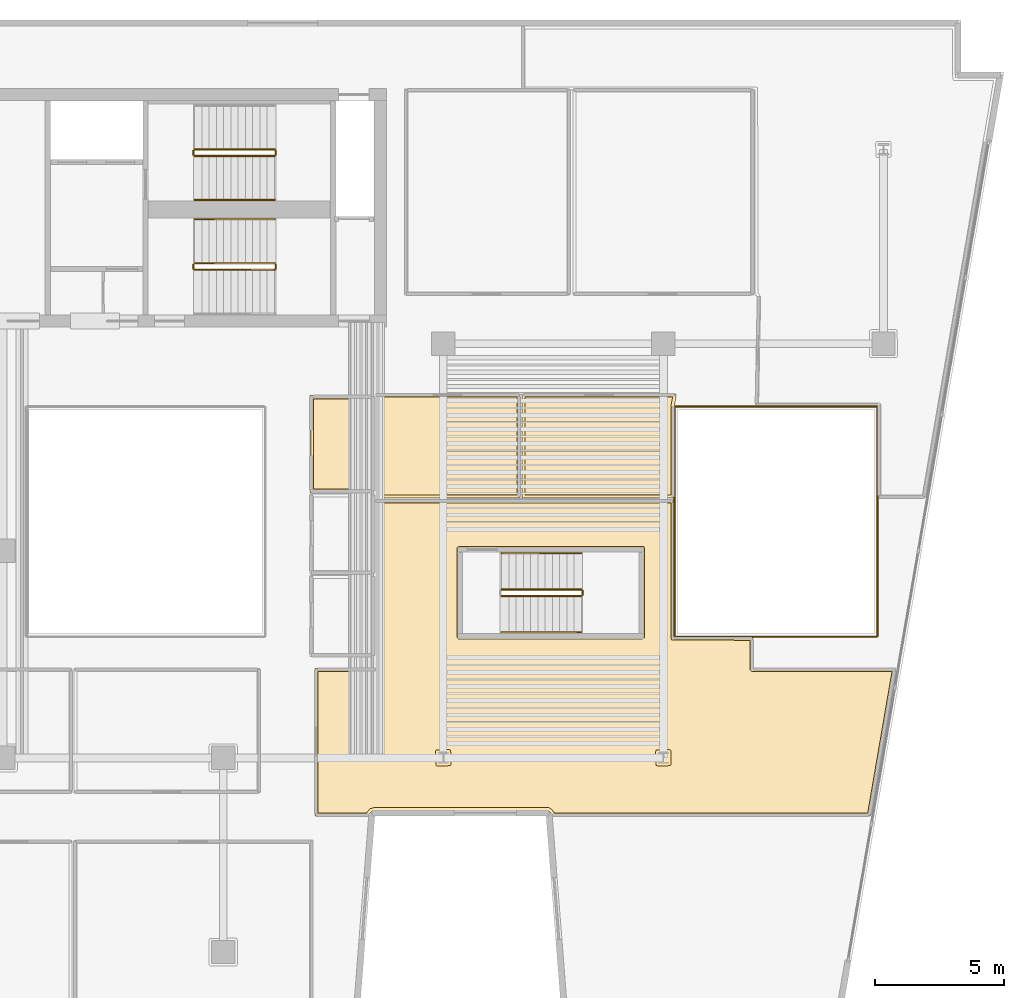
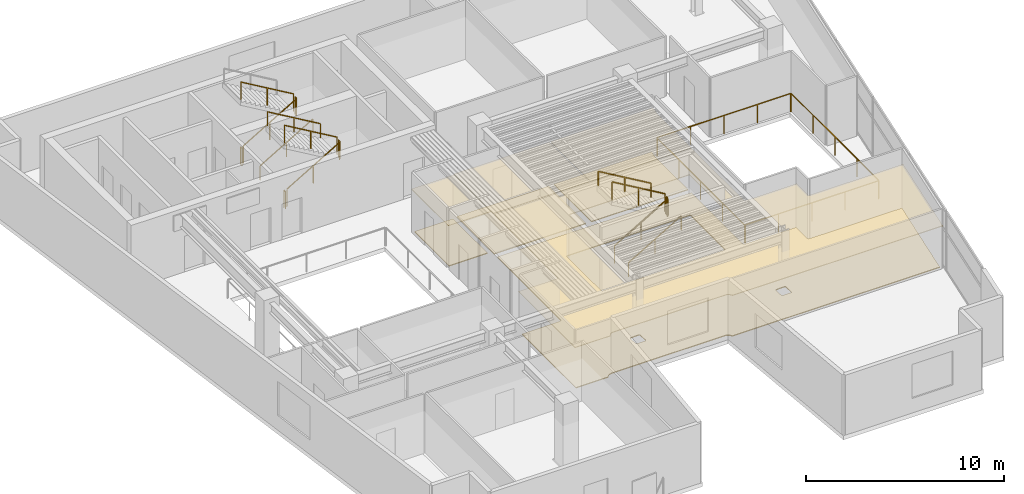
# One storey, part 8 of 9: 19 railings, 8 coverings.
"""IFC4 building model written with IfcOpenShell, lengths in metres."""

from ifc_helpers import new_model, si_unit, direction, frame, origin, origin_2d, place, context, subcontext, project, spatial, polyline, rectangle, outline, extrude, material, layer, layer_set, type_object, element, save


model = new_model("IFC4")

# Units and contexts
model_context = context("Model", 3, precision=1e-05, world=origin(), true_north=direction((0.0, 1.0)))
body_context = subcontext(model_context, "Body", "Model", "MODEL_VIEW")
ifc_project = project(units=[si_unit("LENGTHUNIT", "METRE"), si_unit("AREAUNIT", "SQUARE_METRE"), si_unit("VOLUMEUNIT", "CUBIC_METRE"), si_unit("PLANEANGLEUNIT", "RADIAN"), si_unit("MASSUNIT", "GRAM", prefix="KILO")], contexts=[model_context])

# Site, building, storey
site_placement = place(None, origin())
site = spatial("IfcSite", under=ifc_project, at=site_placement, CompositionType="ELEMENT")
building_placement = place(site_placement, origin())
building = spatial("IfcBuilding", under=site, at=building_placement, Name="Caeloran Harvest Quay", CompositionType="ELEMENT")
storey_placement = place(building_placement, frame((0.0, 0.0, 215.35009765625)))
storey = spatial("IfcBuildingStorey", under=building, at=storey_placement, Name="L51", CompositionType="ELEMENT", Elevation=215.35009765625)

# Coverings
ifc_material_1 = material(Name="Perforated Mineral-Fibre Acoustic Ceiling Tile", Category="ceiling")
ifc_layer_1 = layer(ifc_material_1, 0.0400390625, Name="Perforated Mineral-Fibre Acoustic Ceiling Tile")
ifc_layer_set_1 = layer_set([ifc_layer_1], Name="Perforated Mineral-Fibre Acoustic Ceiling Tile")
covering_type_1 = type_object("IfcCoveringType", Name="COV-CEILING-ACOUSTIC", PredefinedType="CEILING", material=ifc_layer_set_1)
covering_1_placement = place(storey_placement, frame((0.0, 0.0, 2.599853515625)))
element("IfcCovering", 1, at=covering_1_placement, inside=storey, type_object=covering_type_1, Name="L51 Male Washroom WC Acoustic Ceiling", PredefinedType="CEILING", context=body_context, shape_type="SweptSolid", body=[
    extrude(outline(polyline([(22.840087890625, 28.989990234375), (22.840087890625, 25.260009765625), (20.360107421875, 25.260009765625), (20.360107421875, 28.989990234375), (22.840087890625, 28.989990234375)])), origin(), (0.0, 0.0, 1.0), 0.0400390625),
])
covering_2_placement = place(storey_placement, frame((0.0, 0.0, 2.599853515625)))
element("IfcCovering", 2, at=covering_2_placement, inside=storey, type_object=covering_type_1, Name="Roundtable Conference Room Acoustic Ceiling", PredefinedType="CEILING", context=body_context, shape_type="SweptSolid", body=[
    extrude(outline(polyline([(22.594482421875, 12.760009765625), (20.5400390625, 12.760009765625), (20.5400390625, 18.4599609375), (22.85009765625, 18.4599609375), (22.8701171875, 24.9599609375), (34.409912109375, 24.9599609375), (34.409912109375, 19.659912109375), (37.4599609375, 19.659912109375), (37.4599609375, 18.4599609375), (42.972900390625, 18.4599609375), (41.993408203125, 12.760009765625), (29.727294921875, 12.760009765625), (29.64111328125, 12.887451171875), (29.54150390625, 12.969970703125), (22.85791015625, 12.969970703125), (22.792236328125, 12.960205078125), (22.7158203125, 12.918701171875), (22.672607421875, 12.86962890625), (22.64208984375, 12.796142578125), (22.594482421875, 12.760009765625)]), holes=[polyline([(33.159912109375, 19.719970703125), (33.159912109375, 23.059814453125), (26.143798828125, 23.044189453125), (26.15576171875, 19.693603515625), (33.159912109375, 19.719970703125)])]), origin(), (0.0, 0.0, 1.0), 0.0400390625),
])
covering_3_placement = place(storey_placement, frame((0.0, 0.0, 2.599853515625)))
element("IfcCovering", 3, at=covering_3_placement, inside=storey, type_object=covering_type_1, Name="Harbour Tea Kitchen Acoustic Ceiling", PredefinedType="CEILING", context=body_context, shape_type="SweptSolid", body=[
    extrude(outline(polyline([(22.8701171875, 25.0400390625), (22.8701171875, 29.06005859375), (28.4599609375, 29.06005859375), (28.4599609375, 25.0400390625), (22.8701171875, 25.0400390625)])), origin(), (0.0, 0.0, 1.0), 0.0400390625),
])
covering_4_placement = place(storey_placement, frame((0.0, 0.0, 2.599853515625)))
element("IfcCovering", 4, at=covering_4_placement, inside=storey, type_object=covering_type_1, Name="Food-Security Culinary Kitchen 7 Acoustic Ceiling", PredefinedType="CEILING", context=body_context, shape_type="SweptSolid", body=[
    extrude(outline(polyline([(34.409912109375, 28.592041015625), (34.409912109375, 25.0400390625), (28.5400390625, 25.0400390625), (28.5400390625, 29.06005859375), (34.49853515625, 29.06005859375), (34.429931640625, 28.596923828125), (34.409912109375, 28.592041015625)])), origin(), (0.0, 0.0, 1.0), 0.0400390625),
])
ifc_material_2 = material(Name="Calcium-Sulphate Raised Access Floor and Terrazzo Finish", Category="flooring")
ifc_layer_2 = layer(ifc_material_2, 0.050048828125, Name="Calcium-Sulphate Raised Access Floor and Terrazzo Finish")
ifc_layer_set_2 = layer_set([ifc_layer_2], Name="Calcium-Sulphate Raised Access Floor and Terrazzo Finish")
covering_type_2 = type_object("IfcCoveringType", Name="COV-FLOOR-RAISED", PredefinedType="FLOORING", material=ifc_layer_set_2)
covering_5_placement = place(storey_placement, origin())
element("IfcCovering", 5, at=covering_5_placement, inside=storey, type_object=covering_type_2, Name="L51 Male Washroom WC Raised Finish Flooring", PredefinedType="FLOORING", context=body_context, shape_type="SweptSolid", body=[
    extrude(outline(polyline([(22.719970703125, 28.8701171875), (22.719970703125, 25.3798828125), (20.47998046875, 25.3798828125), (20.47998046875, 28.8701171875), (22.719970703125, 28.8701171875)])), origin(), (0.0, 0.0, 1.0), 0.0498046875),
])
covering_6_placement = place(storey_placement, origin())
element("IfcCovering", 6, at=covering_6_placement, inside=storey, type_object=covering_type_2, Name="Roundtable Conference Room Raised Finish Flooring", PredefinedType="FLOORING", context=body_context, shape_type="SweptSolid", body=[
    extrude(outline(polyline([(22.54296875, 12.8798828125), (20.659912109375, 12.8798828125), (20.659912109375, 18.340087890625), (22.889892578125, 18.340087890625), (22.966552734375, 18.396484375), (22.98974609375, 24.840087890625), (34.2900390625, 24.840087890625), (34.2900390625, 19.6201171875), (34.319091796875, 19.55810546875), (37.340087890625, 19.5400390625), (37.34033203125, 18.412109375), (37.412109375, 18.34033203125), (42.83056640625, 18.340087890625), (41.89208984375, 12.8798828125), (29.783447265625, 12.8798828125), (29.709716796875, 12.990478515625), (29.559326171875, 13.090087890625), (22.85302734375, 13.08984375), (22.669189453125, 13.033203125), (22.54296875, 12.8798828125)]), holes=[polyline([(34.302490234375, 14.754150390625), (34.284912109375, 15.288818359375), (34.230712890625, 15.317626953125), (33.726318359375, 15.2998046875), (33.697021484375, 15.238037109375), (33.715087890625, 14.711181640625), (33.777099609375, 14.681884765625), (34.273681640625, 14.7001953125), (34.302490234375, 14.754150390625)]), polyline([(26.103515625, 23.1640625), (26.046875, 23.140380859375), (26.0234375, 23.083984375), (26.035888671875, 19.6533203125), (26.078369140625, 19.5830078125), (33.2001953125, 19.60009765625), (33.2705078125, 19.642333984375), (33.280029296875, 23.10009765625), (33.237548828125, 23.170654296875), (26.103515625, 23.1640625)]), polyline([(25.802490234375, 14.754150390625), (25.784912109375, 15.288818359375), (25.730712890625, 15.317626953125), (25.226318359375, 15.2998046875), (25.197021484375, 15.238037109375), (25.215087890625, 14.711181640625), (25.277099609375, 14.681884765625), (25.773681640625, 14.7001953125), (25.802490234375, 14.754150390625)])]), origin(), (0.0, 0.0, 1.0), 0.0498046875),
])
covering_7_placement = place(storey_placement, origin())
element("IfcCovering", 7, at=covering_7_placement, inside=storey, type_object=covering_type_2, Name="Harbour Tea Kitchen Raised Finish Flooring", PredefinedType="FLOORING", context=body_context, shape_type="SweptSolid", body=[
    extrude(outline(polyline([(22.989990234375, 25.159912109375), (22.989990234375, 28.93994140625), (28.340087890625, 28.93994140625), (28.340087890625, 25.159912109375), (22.989990234375, 25.159912109375)])), origin(), (0.0, 0.0, 1.0), 0.0498046875),
])
covering_8_placement = place(storey_placement, origin())
element("IfcCovering", 8, at=covering_8_placement, inside=storey, type_object=covering_type_2, Name="Food-Security Culinary Kitchen 7 Raised Finish Flooring", PredefinedType="FLOORING", context=body_context, shape_type="SweptSolid", body=[
    extrude(outline(polyline([(34.359619140625, 28.93994140625), (34.2900390625, 28.60009765625), (34.2900390625, 25.159912109375), (28.659912109375, 25.159912109375), (28.659912109375, 28.93994140625), (34.359619140625, 28.93994140625)])), origin(), (0.0, 0.0, 1.0), 0.0498046875),
])

# Railings
ifc_material_3 = material(Name="Powder-Coated Steel Post and Laminated Glass Guardrail", Category="steel")
ifc_layer_3 = layer(ifc_material_3, 0.06005859375, Name="Powder-Coated Steel Post and Laminated Glass Guardrail")
ifc_layer_set_3 = layer_set([ifc_layer_3], Name="Powder-Coated Steel Post and Laminated Glass Guardrail")
railing_type_1 = type_object("IfcRailingType", Name="GUARD-ATRIUM-1150", PredefinedType="GUARDRAIL", material=ifc_layer_set_3)
railing_1_placement = place(storey_placement, frame((34.4619140625, 19.679931640625, 0.0)))
element("IfcRailing", 9, at=railing_1_placement, inside=storey, type_object=railing_type_1, Name="L51 East Botanical Lightwell Guardrail Seg 1", PredefinedType="GUARDRAIL", context=body_context, shape_type="SweptSolid", body=[
    extrude(rectangle(XDim=0.048095703125, YDim=0.048095703125, at=origin_2d()), frame((0.0, 0.0, 1.1259765625), z_axis=(1.0, 0.0, 0.0), x_axis=(0.0, 1.0, 0.0)), (0.0, 0.0, 1.0), 7.776123046875),
    extrude(rectangle(XDim=0.0419921875, YDim=0.0419921875, at=origin_2d()), origin(), (0.0, 0.0, 1.0), 1.101806640625),
    extrude(rectangle(XDim=0.0419921875, YDim=0.0419921875, at=origin_2d()), frame((1.944091796875, 0.0, 0.0)), (0.0, 0.0, 1.0), 1.101806640625),
    extrude(rectangle(XDim=0.0419921875, YDim=0.0419921875, at=origin_2d()), frame((3.88818359375, 0.0, 0.0)), (0.0, 0.0, 1.0), 1.101806640625),
    extrude(rectangle(XDim=0.0419921875, YDim=0.0419921875, at=origin_2d()), frame((5.83203125, 0.0, 0.0)), (0.0, 0.0, 1.0), 1.101806640625),
    extrude(rectangle(XDim=0.0419921875, YDim=0.0419921875, at=origin_2d()), frame((7.776123046875, 0.0, 0.0)), (0.0, 0.0, 1.0), 1.101806640625),
])
railing_2_placement = place(storey_placement, frame((42.27001953125, 19.7119140625, 0.0)))
element("IfcRailing", 10, at=railing_2_placement, inside=storey, type_object=railing_type_1, Name="L51 East Botanical Lightwell Guardrail Seg 2", PredefinedType="GUARDRAIL", context=body_context, shape_type="SweptSolid", body=[
    extrude(rectangle(XDim=0.048095703125, YDim=0.048095703125, at=origin_2d()), frame((0.0, 0.0, 1.1259765625), z_axis=(0.0, 1.0, 0.0), x_axis=(-1.0, 0.0, 0.0)), (0.0, 0.0, 1.0), 8.826171875),
    extrude(rectangle(XDim=0.0419921875, YDim=0.0419921875, at=origin_2d()), origin(), (0.0, 0.0, 1.0), 1.101806640625),
    extrude(rectangle(XDim=0.0419921875, YDim=0.0419921875, at=origin_2d()), frame((0.0, 2.20654296875, 0.0)), (0.0, 0.0, 1.0), 1.101806640625),
    extrude(rectangle(XDim=0.0419921875, YDim=0.0419921875, at=origin_2d()), frame((0.0, 4.4130859375, 0.0)), (0.0, 0.0, 1.0), 1.101806640625),
    extrude(rectangle(XDim=0.0419921875, YDim=0.0419921875, at=origin_2d()), frame((0.0, 6.61962890625, 0.0)), (0.0, 0.0, 1.0), 1.101806640625),
    extrude(rectangle(XDim=0.0419921875, YDim=0.0419921875, at=origin_2d()), frame((0.0, 8.826171875, 0.0)), (0.0, 0.0, 1.0), 1.101806640625),
])
railing_3_placement = place(storey_placement, frame((42.238037109375, 28.570068359375, 0.0)))
element("IfcRailing", 11, at=railing_3_placement, inside=storey, type_object=railing_type_1, Name="L51 East Botanical Lightwell Guardrail Seg 3", PredefinedType="GUARDRAIL", context=body_context, shape_type="SweptSolid", body=[
    extrude(rectangle(XDim=0.048095703125, YDim=0.048095703125, at=origin_2d()), frame((0.0, 0.0, 1.1259765625), z_axis=(-1.0, 0.0, 0.0), x_axis=(0.0, -1.0, 0.0)), (0.0, 0.0, 1.0), 7.776123046875),
    extrude(rectangle(XDim=0.0419921875, YDim=0.0419921875, at=origin_2d()), origin(), (0.0, 0.0, 1.0), 1.101806640625),
    extrude(rectangle(XDim=0.0419921875, YDim=0.0419921875, at=origin_2d()), frame((-1.944091796875, 0.0, 0.0)), (0.0, 0.0, 1.0), 1.101806640625),
    extrude(rectangle(XDim=0.0419921875, YDim=0.0419921875, at=origin_2d()), frame((-3.88818359375, 0.0, 0.0)), (0.0, 0.0, 1.0), 1.101806640625),
    extrude(rectangle(XDim=0.0419921875, YDim=0.0419921875, at=origin_2d()), frame((-5.83203125, 0.0, 0.0)), (0.0, 0.0, 1.0), 1.101806640625),
    extrude(rectangle(XDim=0.0419921875, YDim=0.0419921875, at=origin_2d()), frame((-7.776123046875, 0.0, 0.0)), (0.0, 0.0, 1.0), 1.101806640625),
])
railing_4_placement = place(storey_placement, frame((34.429931640625, 28.5380859375, 0.0)))
element("IfcRailing", 12, at=railing_4_placement, inside=storey, type_object=railing_type_1, Name="L51 East Botanical Lightwell Guardrail Seg 4", PredefinedType="GUARDRAIL", context=body_context, shape_type="SweptSolid", body=[
    extrude(rectangle(XDim=0.048095703125, YDim=0.048095703125, at=origin_2d()), frame((0.0, 0.0, 1.1259765625), z_axis=(0.0, -1.0, 0.0), x_axis=(1.0, 0.0, 0.0)), (0.0, 0.0, 1.0), 8.826171875),
    extrude(rectangle(XDim=0.0419921875, YDim=0.0419921875, at=origin_2d()), origin(), (0.0, 0.0, 1.0), 1.101806640625),
    extrude(rectangle(XDim=0.0419921875, YDim=0.0419921875, at=origin_2d()), frame((0.0, -2.20654296875, 0.0)), (0.0, 0.0, 1.0), 1.101806640625),
    extrude(rectangle(XDim=0.0419921875, YDim=0.0419921875, at=origin_2d()), frame((0.0, -4.4130859375, 0.0)), (0.0, 0.0, 1.0), 1.101806640625),
    extrude(rectangle(XDim=0.0419921875, YDim=0.0419921875, at=origin_2d()), frame((0.0, -6.61962890625, 0.0)), (0.0, 0.0, 1.0), 1.101806640625),
    extrude(rectangle(XDim=0.0419921875, YDim=0.0419921875, at=origin_2d()), frame((0.0, -8.826171875, 0.0)), (0.0, 0.0, 1.0), 1.101806640625),
])
ifc_material_4 = material(Name="Painted Steel Baluster and Top-Rail Stair Guard", Category="steel")
ifc_layer_4 = layer(ifc_material_4, 0.050048828125, Name="Painted Steel Baluster and Top-Rail Stair Guard")
ifc_layer_set_4 = layer_set([ifc_layer_4], Name="Painted Steel Baluster and Top-Rail Stair Guard")
railing_type_2 = type_object("IfcRailingType", Name="STAIR-GUARD-1100", PredefinedType="GUARDRAIL", material=ifc_layer_set_4)
railing_5_placement = place(storey_placement, frame((15.89990234375, 38.25, 0.16455078125)))
element("IfcRailing", 13, at=railing_5_placement, inside=storey, type_object=railing_type_2, Name="L51 ST-C1 stair guard 1", PredefinedType="GUARDRAIL", context=body_context, shape_type="SweptSolid", body=[
    extrude(rectangle(XDim=0.048095703125, YDim=0.048095703125, at=origin_2d()), frame((0.0, 0.0, 1.076171875), z_axis=(0.862118610829, 0.0, 0.506706523406), x_axis=(0.0, 1.0, 0.0)), (0.0, 0.0, 1.0), 3.57275390625),
    extrude(rectangle(XDim=0.0419921875, YDim=0.0419921875, at=origin_2d()), origin(), (0.0, 0.0, 1.0), 1.052001953125),
    extrude(rectangle(XDim=0.0419921875, YDim=0.0419921875, at=origin_2d()), frame((1.5400390625, 0.0, 0.9052734375)), (0.0, 0.0, 1.0), 1.052001953125),
    extrude(rectangle(XDim=0.0419921875, YDim=0.0419921875, at=origin_2d()), frame((3.080078125, 0.0, 1.810302734375)), (0.0, 0.0, 1.0), 1.052001953125),
])
railing_6_placement = place(storey_placement, frame((19.030029296875, 38.300048828125, 1.974853515625)))
element("IfcRailing", 14, at=railing_6_placement, inside=storey, type_object=railing_type_2, Name="L51 ST-C1 stair guard 2", PredefinedType="GUARDRAIL", context=body_context, shape_type="SweptSolid", body=[
    extrude(rectangle(XDim=0.048095703125, YDim=0.048095703125, at=origin_2d()), frame((0.0, 0.0, 1.076171875), z_axis=(0.0, 1.0, 0.0), x_axis=(-1.0, 0.0, 0.0)), (0.0, 0.0, 1.0), 0.14990234375),
    extrude(rectangle(XDim=0.0419921875, YDim=0.0419921875, at=origin_2d()), origin(), (0.0, 0.0, 1.0), 1.052001953125),
    extrude(rectangle(XDim=0.0419921875, YDim=0.0419921875, at=origin_2d()), frame((0.0, 0.14990234375, 0.0)), (0.0, 0.0, 1.0), 1.052001953125),
])
railing_7_placement = place(storey_placement, frame((18.97998046875, 38.5, 2.139404296875)))
element("IfcRailing", 15, at=railing_7_placement, inside=storey, type_object=railing_type_2, Name="L51 ST-C1 stair guard 3", PredefinedType="GUARDRAIL", context=body_context, shape_type="SweptSolid", body=[
    extrude(rectangle(XDim=0.048095703125, YDim=0.048095703125, at=origin_2d()), frame((0.0, 0.0, 1.076171875), z_axis=(-0.862088758681, 0.0, 0.506757310905), x_axis=(0.0, -1.0, 0.0)), (0.0, 0.0, 1.0), 3.57275390625),
    extrude(rectangle(XDim=0.0419921875, YDim=0.0419921875, at=origin_2d()), origin(), (0.0, 0.0, 1.0), 1.052001953125),
    extrude(rectangle(XDim=0.0419921875, YDim=0.0419921875, at=origin_2d()), frame((-1.5400390625, 0.0, 0.9052734375)), (0.0, 0.0, 1.0), 1.052001953125),
    extrude(rectangle(XDim=0.0419921875, YDim=0.0419921875, at=origin_2d()), frame((-3.080078125, 0.0, 1.810546875)), (0.0, 0.0, 1.0), 1.052001953125),
])
railing_8_placement = place(storey_placement, frame((15.85009765625, 38.300048828125, 0.0)))
element("IfcRailing", 16, at=railing_8_placement, inside=storey, type_object=railing_type_2, Name="L51 ST-C1 stair guard 4", PredefinedType="GUARDRAIL", context=body_context, shape_type="SweptSolid", body=[
    extrude(rectangle(XDim=0.048095703125, YDim=0.048095703125, at=origin_2d()), frame((0.0, 0.0, 1.076171875), z_axis=(0.0, 1.0, 0.0), x_axis=(-1.0, 0.0, 0.0)), (0.0, 0.0, 1.0), 0.14990234375),
    extrude(rectangle(XDim=0.0419921875, YDim=0.0419921875, at=origin_2d()), origin(), (0.0, 0.0, 1.0), 1.052001953125),
    extrude(rectangle(XDim=0.0419921875, YDim=0.0419921875, at=origin_2d()), frame((0.0, 0.14990234375, 0.0)), (0.0, 0.0, 1.0), 1.052001953125),
])
railing_9_placement = place(storey_placement, frame((15.89990234375, 33.85009765625, 0.16455078125)))
element("IfcRailing", 17, at=railing_9_placement, inside=storey, type_object=railing_type_2, Name="L51 ST-C2 stair guard 1", PredefinedType="GUARDRAIL", context=body_context, shape_type="SweptSolid", body=[
    extrude(rectangle(XDim=0.048095703125, YDim=0.048095703125, at=origin_2d()), frame((0.0, 0.0, 1.076171875), z_axis=(0.862118610829, 0.0, 0.506706523406), x_axis=(0.0, 1.0, 0.0)), (0.0, 0.0, 1.0), 3.57275390625),
    extrude(rectangle(XDim=0.0419921875, YDim=0.0419921875, at=origin_2d()), origin(), (0.0, 0.0, 1.0), 1.052001953125),
    extrude(rectangle(XDim=0.0419921875, YDim=0.0419921875, at=origin_2d()), frame((1.5400390625, 0.0, 0.9052734375)), (0.0, 0.0, 1.0), 1.052001953125),
    extrude(rectangle(XDim=0.0419921875, YDim=0.0419921875, at=origin_2d()), frame((3.080078125, 0.0, 1.810302734375)), (0.0, 0.0, 1.0), 1.052001953125),
])
railing_10_placement = place(storey_placement, frame((19.030029296875, 33.89990234375, 1.974853515625)))
element("IfcRailing", 18, at=railing_10_placement, inside=storey, type_object=railing_type_2, Name="L51 ST-C2 stair guard 2", PredefinedType="GUARDRAIL", context=body_context, shape_type="SweptSolid", body=[
    extrude(rectangle(XDim=0.048095703125, YDim=0.048095703125, at=origin_2d()), frame((0.0, 0.0, 1.076171875), z_axis=(0.0, 1.0, 0.0), x_axis=(-1.0, 0.0, 0.0)), (0.0, 0.0, 1.0), 0.150146484375),
    extrude(rectangle(XDim=0.0419921875, YDim=0.0419921875, at=origin_2d()), origin(), (0.0, 0.0, 1.0), 1.052001953125),
    extrude(rectangle(XDim=0.0419921875, YDim=0.0419921875, at=origin_2d()), frame((0.0, 0.150146484375, 0.0)), (0.0, 0.0, 1.0), 1.052001953125),
])
railing_11_placement = place(storey_placement, frame((18.97998046875, 34.10009765625, 2.139404296875)))
element("IfcRailing", 19, at=railing_11_placement, inside=storey, type_object=railing_type_2, Name="L51 ST-C2 stair guard 3", PredefinedType="GUARDRAIL", context=body_context, shape_type="SweptSolid", body=[
    extrude(rectangle(XDim=0.048095703125, YDim=0.048095703125, at=origin_2d()), frame((0.0, 0.0, 1.076171875), z_axis=(-0.862088758681, 0.0, 0.506757310905), x_axis=(0.0, -1.0, 0.0)), (0.0, 0.0, 1.0), 3.57275390625),
    extrude(rectangle(XDim=0.0419921875, YDim=0.0419921875, at=origin_2d()), origin(), (0.0, 0.0, 1.0), 1.052001953125),
    extrude(rectangle(XDim=0.0419921875, YDim=0.0419921875, at=origin_2d()), frame((-1.5400390625, 0.0, 0.9052734375)), (0.0, 0.0, 1.0), 1.052001953125),
    extrude(rectangle(XDim=0.0419921875, YDim=0.0419921875, at=origin_2d()), frame((-3.080078125, 0.0, 1.810546875)), (0.0, 0.0, 1.0), 1.052001953125),
])
railing_12_placement = place(storey_placement, frame((15.85009765625, 33.89990234375, 0.0)))
element("IfcRailing", 20, at=railing_12_placement, inside=storey, type_object=railing_type_2, Name="L51 ST-C2 stair guard 4", PredefinedType="GUARDRAIL", context=body_context, shape_type="SweptSolid", body=[
    extrude(rectangle(XDim=0.048095703125, YDim=0.048095703125, at=origin_2d()), frame((0.0, 0.0, 1.076171875), z_axis=(0.0, 1.0, 0.0), x_axis=(-1.0, 0.0, 0.0)), (0.0, 0.0, 1.0), 0.150146484375),
    extrude(rectangle(XDim=0.0419921875, YDim=0.0419921875, at=origin_2d()), origin(), (0.0, 0.0, 1.0), 1.052001953125),
    extrude(rectangle(XDim=0.0419921875, YDim=0.0419921875, at=origin_2d()), frame((0.0, 0.150146484375, 0.0)), (0.0, 0.0, 1.0), 1.052001953125),
])
railing_13_placement = place(storey_placement, frame((27.75, 21.25, 0.16455078125)))
element("IfcRailing", 21, at=railing_13_placement, inside=storey, type_object=railing_type_2, Name="L51 ST-W1 stair guard 1", PredefinedType="GUARDRAIL", context=body_context, shape_type="SweptSolid", body=[
    extrude(rectangle(XDim=0.048095703125, YDim=0.048095703125, at=origin_2d()), frame((0.0, 0.0, 1.076171875), z_axis=(0.862118610829, 0.0, 0.506706523406), x_axis=(0.0, 1.0, 0.0)), (0.0, 0.0, 1.0), 3.57275390625),
    extrude(rectangle(XDim=0.0419921875, YDim=0.0419921875, at=origin_2d()), origin(), (0.0, 0.0, 1.0), 1.052001953125),
    extrude(rectangle(XDim=0.0419921875, YDim=0.0419921875, at=origin_2d()), frame((1.5400390625, 0.0, 0.9052734375)), (0.0, 0.0, 1.0), 1.052001953125),
    extrude(rectangle(XDim=0.0419921875, YDim=0.0419921875, at=origin_2d()), frame((3.080078125, 0.0, 1.810302734375)), (0.0, 0.0, 1.0), 1.052001953125),
])
railing_14_placement = place(storey_placement, frame((30.8798828125, 21.300048828125, 1.974853515625)))
element("IfcRailing", 22, at=railing_14_placement, inside=storey, type_object=railing_type_2, Name="L51 ST-W1 stair guard 2", PredefinedType="GUARDRAIL", context=body_context, shape_type="SweptSolid", body=[
    extrude(rectangle(XDim=0.048095703125, YDim=0.048095703125, at=origin_2d()), frame((0.0, 0.0, 1.076171875), z_axis=(0.0, 1.0, 0.0), x_axis=(-1.0, 0.0, 0.0)), (0.0, 0.0, 1.0), 0.14990234375),
    extrude(rectangle(XDim=0.0419921875, YDim=0.0419921875, at=origin_2d()), origin(), (0.0, 0.0, 1.0), 1.052001953125),
    extrude(rectangle(XDim=0.0419921875, YDim=0.0419921875, at=origin_2d()), frame((0.0, 0.14990234375, 0.0)), (0.0, 0.0, 1.0), 1.052001953125),
])
railing_15_placement = place(storey_placement, frame((30.830078125, 21.5, 2.139404296875)))
element("IfcRailing", 23, at=railing_15_placement, inside=storey, type_object=railing_type_2, Name="L51 ST-W1 stair guard 3", PredefinedType="GUARDRAIL", context=body_context, shape_type="SweptSolid", body=[
    extrude(rectangle(XDim=0.048095703125, YDim=0.048095703125, at=origin_2d()), frame((0.0, 0.0, 1.076171875), z_axis=(-0.862088758681, 0.0, 0.506757310905), x_axis=(0.0, -1.0, 0.0)), (0.0, 0.0, 1.0), 3.57275390625),
    extrude(rectangle(XDim=0.0419921875, YDim=0.0419921875, at=origin_2d()), origin(), (0.0, 0.0, 1.0), 1.052001953125),
    extrude(rectangle(XDim=0.0419921875, YDim=0.0419921875, at=origin_2d()), frame((-1.5400390625, 0.0, 0.9052734375)), (0.0, 0.0, 1.0), 1.052001953125),
    extrude(rectangle(XDim=0.0419921875, YDim=0.0419921875, at=origin_2d()), frame((-3.080078125, 0.0, 1.810546875)), (0.0, 0.0, 1.0), 1.052001953125),
])
ifc_material_5 = material(Name="Brushed Stainless Steel Grade 304", Category="steel")
ifc_layer_5 = layer(ifc_material_5, 0.050048828125, Name="Brushed Stainless Steel Grade 304")
ifc_layer_set_5 = layer_set([ifc_layer_5], Name="Brushed Stainless Steel Grade 304")
railing_type_3 = type_object("IfcRailingType", Name="STAIR-HANDRAIL-900", PredefinedType="HANDRAIL", material=ifc_layer_set_5)
railing_16_placement = place(storey_placement, frame((15.89990234375, 36.550048828125, 0.16455078125)))
element("IfcRailing", 24, at=railing_16_placement, inside=storey, type_object=railing_type_3, Name="L51 ST-C1 stair handrail 1", PredefinedType="HANDRAIL", context=body_context, shape_type="SweptSolid", body=[
    extrude(rectangle(XDim=0.048095703125, YDim=0.048095703125, at=origin_2d()), frame((0.0, 0.0, 0.8759765625), z_axis=(0.862118610829, 0.0, 0.506706523406), x_axis=(0.0, 1.0, 0.0)), (0.0, 0.0, 1.0), 3.57275390625),
    extrude(rectangle(XDim=0.0419921875, YDim=0.0419921875, at=origin_2d()), origin(), (0.0, 0.0, 1.0), 0.851806640625),
    extrude(rectangle(XDim=0.0419921875, YDim=0.0419921875, at=origin_2d()), frame((1.5400390625, 0.0, 0.9052734375)), (0.0, 0.0, 1.0), 0.851806640625),
    extrude(rectangle(XDim=0.0419921875, YDim=0.0419921875, at=origin_2d()), frame((3.080078125, 0.0, 1.810302734375)), (0.0, 0.0, 1.0), 0.851806640625),
])
railing_17_placement = place(storey_placement, frame((18.97998046875, 35.800048828125, 2.139404296875)))
element("IfcRailing", 25, at=railing_17_placement, inside=storey, type_object=railing_type_3, Name="L51 ST-C2 stair handrail 2", PredefinedType="HANDRAIL", context=body_context, shape_type="SweptSolid", body=[
    extrude(rectangle(XDim=0.048095703125, YDim=0.048095703125, at=origin_2d()), frame((0.0, 0.0, 0.8759765625), z_axis=(-0.862088758681, 0.0, 0.506757310905), x_axis=(0.0, -1.0, 0.0)), (0.0, 0.0, 1.0), 3.57275390625),
    extrude(rectangle(XDim=0.0419921875, YDim=0.0419921875, at=origin_2d()), origin(), (0.0, 0.0, 1.0), 0.851806640625),
    extrude(rectangle(XDim=0.0419921875, YDim=0.0419921875, at=origin_2d()), frame((-1.5400390625, 0.0, 0.9052734375)), (0.0, 0.0, 1.0), 0.851806640625),
    extrude(rectangle(XDim=0.0419921875, YDim=0.0419921875, at=origin_2d()), frame((-3.080078125, 0.0, 1.810546875)), (0.0, 0.0, 1.0), 0.851806640625),
])
railing_18_placement = place(storey_placement, frame((27.75, 19.85009765625, 0.16455078125)))
element("IfcRailing", 26, at=railing_18_placement, inside=storey, type_object=railing_type_3, Name="L51 ST-W1 stair handrail 1", PredefinedType="HANDRAIL", context=body_context, shape_type="SweptSolid", body=[
    extrude(rectangle(XDim=0.048095703125, YDim=0.048095703125, at=origin_2d()), frame((0.0, 0.0, 0.8759765625), z_axis=(0.862118610829, 0.0, 0.506706523406), x_axis=(0.0, 1.0, 0.0)), (0.0, 0.0, 1.0), 3.57275390625),
    extrude(rectangle(XDim=0.0419921875, YDim=0.0419921875, at=origin_2d()), origin(), (0.0, 0.0, 1.0), 0.851806640625),
    extrude(rectangle(XDim=0.0419921875, YDim=0.0419921875, at=origin_2d()), frame((1.5400390625, 0.0, 0.9052734375)), (0.0, 0.0, 1.0), 0.851806640625),
    extrude(rectangle(XDim=0.0419921875, YDim=0.0419921875, at=origin_2d()), frame((3.080078125, 0.0, 1.810302734375)), (0.0, 0.0, 1.0), 0.851806640625),
])
railing_19_placement = place(storey_placement, frame((30.830078125, 22.89990234375, 2.139404296875)))
element("IfcRailing", 27, at=railing_19_placement, inside=storey, type_object=railing_type_3, Name="L51 ST-W1 stair handrail 2", PredefinedType="HANDRAIL", context=body_context, shape_type="SweptSolid", body=[
    extrude(rectangle(XDim=0.048095703125, YDim=0.048095703125, at=origin_2d()), frame((0.0, 0.0, 0.8759765625), z_axis=(-0.862088758681, 0.0, 0.506757310905), x_axis=(0.0, -1.0, 0.0)), (0.0, 0.0, 1.0), 3.57275390625),
    extrude(rectangle(XDim=0.0419921875, YDim=0.0419921875, at=origin_2d()), origin(), (0.0, 0.0, 1.0), 0.851806640625),
    extrude(rectangle(XDim=0.0419921875, YDim=0.0419921875, at=origin_2d()), frame((-1.5400390625, 0.0, 0.9052734375)), (0.0, 0.0, 1.0), 0.851806640625),
    extrude(rectangle(XDim=0.0419921875, YDim=0.0419921875, at=origin_2d()), frame((-3.080078125, 0.0, 1.810546875)), (0.0, 0.0, 1.0), 0.851806640625),
])

save(model, "model.ifc")
